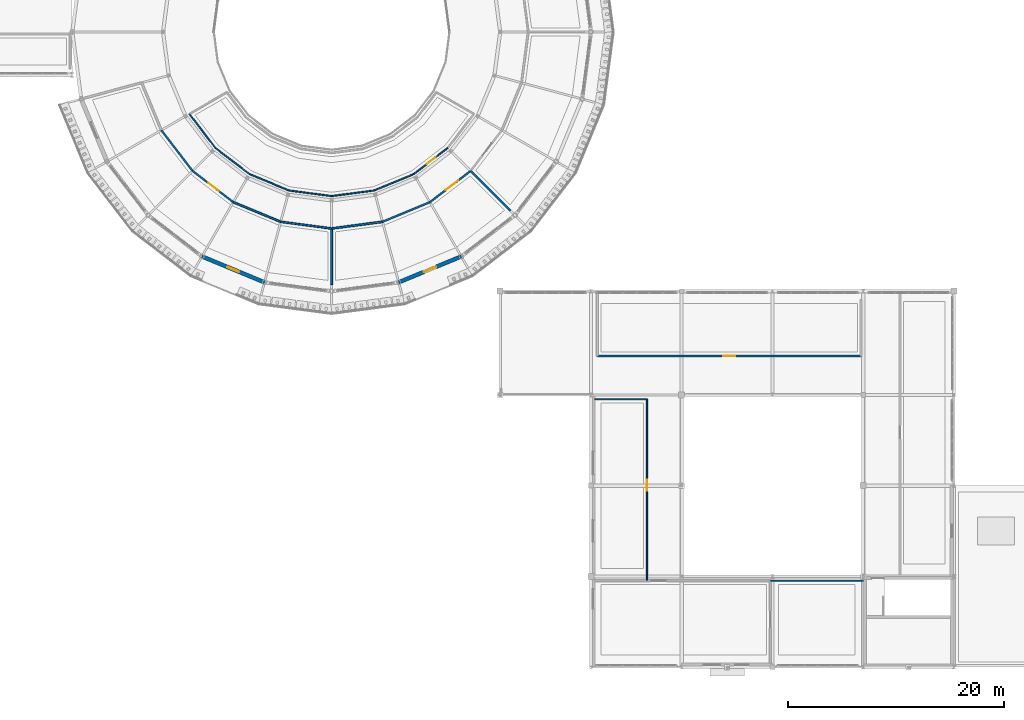
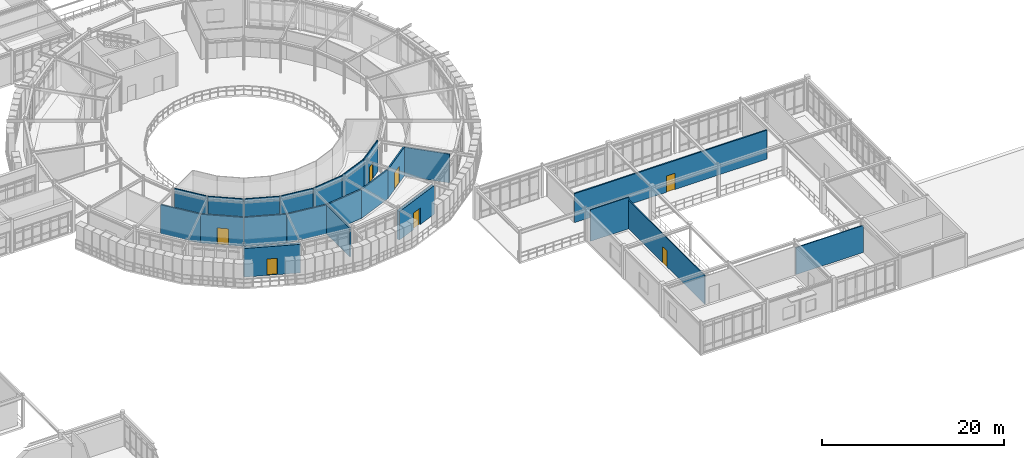
# One storey, part 86 of 106: 22 walls, 7 doors, 7 openings.
"""IFC4 building model written with IfcOpenShell, lengths in metres."""

from ifc_helpers import new_model, si_unit, derived_unit, direction, frame, frame_2d, origin, place, context, subcontext, project, spatial, rectangle, extrude, material, layer, layer_set, type_object, element, fill, save


model = new_model("IFC4")

# Units and contexts
model_context = context("Model", 3, precision=1e-05, world=origin(), true_north=direction((0.0, 1.0)))
body_context = subcontext(model_context, "Body", "Model", "MODEL_VIEW")
ifc_project = project(units=[si_unit("LENGTHUNIT", "METRE"), si_unit("AREAUNIT", "SQUARE_METRE"), si_unit("VOLUMEUNIT", "CUBIC_METRE"), si_unit("PLANEANGLEUNIT", "RADIAN"), si_unit("MASSUNIT", "GRAM", prefix="KILO"), derived_unit("THERMALTRANSMITTANCEUNIT", [(si_unit("POWERUNIT", "WATT"), 1), (si_unit("AREAUNIT", "SQUARE_METRE"), -1), (si_unit("THERMODYNAMICTEMPERATUREUNIT", "KELVIN"), -1)])], contexts=[model_context])

# Site, building, storey
site_placement = place(None, origin())
site = spatial("IfcSite", under=ifc_project, at=site_placement, CompositionType="ELEMENT")
building_placement = place(site_placement, origin())
building = spatial("IfcBuilding", under=site, at=building_placement, Name="Yasenodar Specialist Clinic", CompositionType="ELEMENT")
storey_placement = place(building_placement, frame((0.0, 0.0, 4.5)))
storey = spatial("IfcBuildingStorey", under=building, at=storey_placement, Name="L01", CompositionType="ELEMENT", Elevation=4.5)

# Wall, opening, door
ifc_material_1 = material(Name="Drum Insulated Terracotta Chord Wall", Category="masonry")
ifc_layer_1 = layer(ifc_material_1, 0.364990234375)
ifc_layer_set_1 = layer_set([ifc_layer_1], Name="Drum Insulated Terracotta Chord Wall")
wall_type_1 = type_object("IfcWallType", Name="EW-DRUM-365", PredefinedType="SOLIDWALL", material=ifc_layer_set_1)
wall_1_placement = place(storey_placement, frame((74.788330078125, 35.617919921875, 0.0), z_axis=(0.0, 0.0, 1.0), x_axis=(-0.9238876519, 0.382663829839, 0.0)))
wall_1 = element("IfcWall", 1, at=wall_1_placement, inside=storey, type_object=wall_type_1, Name="L01 Exterior Facade Wall 0014", PredefinedType="SOLIDWALL", context=body_context, shape_type="SweptSolid", body=[
    extrude(rectangle(XDim=6.26513671875, YDim=0.364990234375, at=frame_2d((3.132568359375, 0.0))), origin(), (0.0, 0.0, 1.0), 3.837890625),
])
opening_1_placement = place(wall_1_placement, frame((2.5576171875, 0.0, 0.0)))
opening_1 = element("IfcOpeningElement", 2, at=opening_1_placement, cuts=wall_1, Name="Opening BD-02", PredefinedType="OPENING", context=body_context, shape_type="SweptSolid", body=[
    extrude(rectangle(XDim=1.14990234375, YDim=2.199951171875, at=frame_2d((0.574951171875, 1.10009765625))), frame((0.0, 0.1923828125, 0.0), z_axis=(0.0, -1.0, 0.0), x_axis=(1.0, 0.0, 0.0)), (0.0, 0.0, 1.0), 0.385009765625),
])
ifc_material_2 = material(Name="Thermally Broken Bronze Anodized Aluminium and Laminated Glass", Category="aluminium")
door_type_1 = type_object("IfcDoorType", Name="DR-BALC-115", OperationType="NOTDEFINED", PredefinedType="DOOR", material=ifc_material_2)
door_1_placement = place(opening_1_placement, origin())
door_1 = element("IfcDoor", 3, at=door_1_placement, inside=storey, type_object=door_type_1, Name="L01 Drum Balcony Access Door Sector 16", OperationType="SINGLE_SWING_LEFT", OverallHeight=2.199951171875, OverallWidth=1.14990234375, PredefinedType="DOOR", context=body_context, shape_type="SweptSolid", body=[
    extrude(rectangle(XDim=1.14990234375, YDim=2.199951171875, at=frame_2d((0.574951171875, 1.10009765625))), frame((0.0, 0.02490234375, 0.0), z_axis=(0.0, -1.0, 0.0), x_axis=(1.0, 0.0, 0.0)), (0.0, 0.0, 1.0), 0.050048828125),
])
fill(opening_1, door_1)

wall_2_placement = place(storey_placement, frame((93.0, 38.015380859375, 0.0), z_axis=(0.0, 0.0, 1.0), x_axis=(-0.9238876519, -0.382663829839, 0.0)))
wall_2 = element("IfcWall", 4, at=wall_2_placement, inside=storey, type_object=wall_type_1, Name="L01 Exterior Facade Wall 0015", PredefinedType="SOLIDWALL", context=body_context, shape_type="SweptSolid", body=[
    extrude(rectangle(XDim=6.26513671875, YDim=0.364990234375, at=frame_2d((3.132568359375, 0.0))), origin(), (0.0, 0.0, 1.0), 3.837890625),
])
opening_2_placement = place(wall_2_placement, frame((2.522705078125, 0.0, 0.0)))
opening_2 = element("IfcOpeningElement", 5, at=opening_2_placement, cuts=wall_2, Name="Opening BD-03", PredefinedType="OPENING", context=body_context, shape_type="SweptSolid", body=[
    extrude(rectangle(XDim=1.219970703125, YDim=2.219970703125, at=frame_2d((0.60986328125, 1.10986328125))), frame((0.0, 0.1923828125, 0.0), z_axis=(0.0, -1.0, 0.0), x_axis=(1.0, 0.0, 0.0)), (0.0, 0.0, 1.0), 0.385009765625),
])
door_type_2 = type_object("IfcDoorType", Name="DR-BALC-122", OperationType="NOTDEFINED", PredefinedType="DOOR", material=ifc_material_2)
door_2_placement = place(opening_2_placement, origin())
door_2 = element("IfcDoor", 6, at=door_2_placement, inside=storey, type_object=door_type_2, Name="L01 Drum Balcony Access Door Sector 19", OperationType="SINGLE_SWING_RIGHT", OverallHeight=2.219970703125, OverallWidth=1.219970703125, PredefinedType="DOOR", context=body_context, shape_type="SweptSolid", body=[
    extrude(rectangle(XDim=1.219970703125, YDim=2.219970703125, at=frame_2d((0.60986328125, 1.10986328125))), frame((0.0, 0.02490234375, 0.0), z_axis=(0.0, -1.0, 0.0), x_axis=(1.0, 0.0, 0.0)), (0.0, 0.0, 1.0), 0.050048828125),
])
fill(opening_2, door_2)

ifc_material_3 = material(Name="Cleanroom Laboratory Partition")
ifc_layer_2 = layer(ifc_material_3, 0.169921875)
ifc_layer_set_2 = layer_set([ifc_layer_2], Name="Cleanroom Laboratory Partition")
wall_type_2 = type_object("IfcWallType", Name="IW-LAB-170", PredefinedType="PARTITIONING", material=ifc_layer_set_2)
wall_3_placement = place(storey_placement, frame((68.130615234375, 45.9306640625, 0.0), z_axis=(0.0, 0.0, 1.0), x_axis=(0.793347417989, -0.608769147025, 0.0)))
wall_3 = element("IfcWall", 7, at=wall_3_placement, inside=storey, type_object=wall_type_2, Name="L01 Hematology Day-Treatment Suite Partition", PredefinedType="PARTITIONING", context=body_context, shape_type="SweptSolid", body=[
    extrude(rectangle(XDim=4.751220703125, YDim=0.169921875, at=frame_2d((2.37548828125, 0.0))), origin(), (0.0, 0.0, 1.0), 3.867919921875),
])
opening_3_placement = place(wall_3_placement, frame((1.82568359375, 0.0, 0.0)))
opening_3 = element("IfcOpeningElement", 8, at=opening_3_placement, cuts=wall_3, Name="Opening D-07", PredefinedType="OPENING", context=body_context, shape_type="SweptSolid", body=[
    extrude(rectangle(XDim=1.239990234375, YDim=2.199951171875, at=frame_2d((0.6201171875, 1.10009765625))), frame((0.0, 0.094970703125, 0.0), z_axis=(0.0, -1.0, 0.0), x_axis=(1.0, 0.0, 0.0)), (0.0, 0.0, 1.0), 0.18994140625),
])
ifc_material_4 = material(Name="Powder-Coated Steel and Acoustic Laminate Leaf", Category="steel")
door_type_3 = type_object("IfcDoorType", Name="DR-CLN-124", OperationType="NOTDEFINED", PredefinedType="DOOR", material=ifc_material_4)
door_3_placement = place(opening_3_placement, origin())
door_3 = element("IfcDoor", 9, at=door_3_placement, inside=storey, type_object=door_type_3, Name="L01 Hematology Day-Treatment Suite Door", OperationType="SINGLE_SWING_RIGHT", OverallHeight=2.199951171875, OverallWidth=1.239990234375, PredefinedType="DOOR", context=body_context, shape_type="SweptSolid", body=[
    extrude(rectangle(XDim=1.239990234375, YDim=2.199951171875, at=frame_2d((0.6201171875, 1.10009765625))), frame((0.0, 0.02490234375, 0.0), z_axis=(0.0, -1.0, 0.0), x_axis=(1.0, 0.0, 0.0)), (0.0, 0.0, 1.0), 0.050048828125),
])
fill(opening_3, door_3)

# Walls
wall_4_placement = place(storey_placement, frame((65.23828125, 49.699951171875, 0.0), z_axis=(0.0, 0.0, 1.0), x_axis=(0.608769147025, -0.793347417989, 0.0)))
element("IfcWall", 10, at=wall_4_placement, inside=storey, type_object=wall_type_2, Name="L01 Hematology Day-Treatment Suite Partition", PredefinedType="PARTITIONING", context=body_context, shape_type="SweptSolid", body=[
    extrude(rectangle(XDim=4.751220703125, YDim=0.169921875, at=frame_2d((2.37548828125, 0.0))), origin(), (0.0, 0.0, 1.0), 3.867919921875),
])
wall_5_placement = place(storey_placement, frame((76.28955078125, 41.22021484375, 0.0), z_axis=(0.0, 0.0, 1.0), x_axis=(0.991445548214, -0.130520975042, 0.0)))
element("IfcWall", 11, at=wall_5_placement, inside=storey, type_object=wall_type_2, Name="L01 Hematology Day-Treatment Suite Partition", PredefinedType="PARTITIONING", context=body_context, shape_type="SweptSolid", body=[
    extrude(rectangle(XDim=4.7509765625, YDim=0.169921875, at=frame_2d((2.37548828125, 0.0))), origin(), (0.0, 0.0, 1.0), 3.867919921875),
])
wall_6_placement = place(storey_placement, frame((71.89990234375, 43.038330078125, 0.0), z_axis=(0.0, 0.0, 1.0), x_axis=(0.923889703059, -0.382658877568, 0.0)))
element("IfcWall", 12, at=wall_6_placement, inside=storey, type_object=wall_type_2, Name="L01 Hematology Day-Treatment Suite Partition", PredefinedType="PARTITIONING", context=body_context, shape_type="SweptSolid", body=[
    extrude(rectangle(XDim=4.751220703125, YDim=0.169921875, at=frame_2d((2.37548828125, 0.0))), origin(), (0.0, 0.0, 1.0), 3.867919921875),
])
wall_7_placement = place(storey_placement, frame((81.0, 40.60009765625, 0.0), z_axis=(0.0, 0.0, 1.0), x_axis=(0.0, -1.0, 0.0)))
element("IfcWall", 13, at=wall_7_placement, inside=storey, type_object=wall_type_2, Name="L01 Hematology Day-Treatment Suite Partition", PredefinedType="PARTITIONING", context=body_context, shape_type="SweptSolid", body=[
    extrude(rectangle(XDim=5.2001953125, YDim=0.169921875, at=frame_2d((2.60009765625, 0.0))), origin(), (0.0, 0.0, 1.0), 3.867919921875),
])

# Wall, opening, door
wall_8_placement = place(storey_placement, frame((130.0, 28.800048828125, 0.0), z_axis=(0.0, 0.0, 1.0), x_axis=(-1.0, 0.0, 0.0)))
wall_8 = element("IfcWall", 14, at=wall_8_placement, inside=storey, type_object=wall_type_2, Name="L01 Speech and Swallowing Therapy Rooms Partition", PredefinedType="PARTITIONING", context=body_context, shape_type="SweptSolid", body=[
    extrude(rectangle(XDim=24.39990234375, YDim=0.169921875, at=frame_2d((12.199951171875, 0.0))), origin(), (0.0, 0.0, 1.0), 3.887939453125),
])
opening_4_placement = place(wall_8_placement, frame((11.64990234375, 0.0, 0.0)))
opening_4 = element("IfcOpeningElement", 15, at=opening_4_placement, cuts=wall_8, Name="Opening D-05", PredefinedType="OPENING", context=body_context, shape_type="SweptSolid", body=[
    extrude(rectangle(XDim=1.1201171875, YDim=2.179931640625, at=frame_2d((0.56005859375, 1.08984375))), frame((0.0, 0.094970703125, 0.0), z_axis=(0.0, -1.0, 0.0), x_axis=(1.0, 0.0, 0.0)), (0.0, 0.0, 1.0), 0.18994140625),
])
door_type_4 = type_object("IfcDoorType", Name="DR-CLN-112", OperationType="NOTDEFINED", PredefinedType="DOOR", material=ifc_material_4)
door_4_placement = place(opening_4_placement, origin())
door_4 = element("IfcDoor", 16, at=door_4_placement, inside=storey, type_object=door_type_4, Name="L01 Speech and Swallowing Therapy Rooms Door", OperationType="SINGLE_SWING_RIGHT", OverallHeight=2.179931640625, OverallWidth=1.1201171875, PredefinedType="DOOR", context=body_context, shape_type="SweptSolid", body=[
    extrude(rectangle(XDim=1.1201171875, YDim=2.179931640625, at=frame_2d((0.56005859375, 1.08984375))), frame((0.0, 0.02490234375, 0.0), z_axis=(0.0, -1.0, 0.0), x_axis=(1.0, 0.0, 0.0)), (0.0, 0.0, 1.0), 0.050048828125),
])
fill(opening_4, door_4)

ifc_material_5 = material(Name="Lightweight Counseling Partition")
ifc_layer_3 = layer(ifc_material_5, 0.114990234375)
ifc_layer_set_3 = layer_set([ifc_layer_3], Name="Lightweight Counseling Partition")
wall_type_3 = type_object("IfcWallType", Name="IW-PART-115", PredefinedType="PARTITIONING", material=ifc_layer_set_3)
wall_9_placement = place(storey_placement, frame((110.199951171875, 24.800048828125, 0.0), z_axis=(0.0, 0.0, 1.0), x_axis=(0.0, -1.0, 0.0)))
wall_9 = element("IfcWall", 17, at=wall_9_placement, inside=storey, type_object=wall_type_3, Name="L01 Neurological Rehabilitation Studio Partition", PredefinedType="PARTITIONING", context=body_context, shape_type="SweptSolid", body=[
    extrude(rectangle(XDim=16.7451171875, YDim=0.114990234375, at=frame_2d((8.37255859375, 0.0))), origin(), (0.0, 0.0, 1.0), 3.837890625),
])
opening_5_placement = place(wall_9_placement, frame((7.449951171875, 0.0, 0.0)))
opening_5 = element("IfcOpeningElement", 18, at=opening_5_placement, cuts=wall_9, Name="Opening D-03", PredefinedType="OPENING", context=body_context, shape_type="SweptSolid", body=[
    extrude(rectangle(XDim=1.02001953125, YDim=2.14990234375, at=frame_2d((0.510009765625, 1.074951171875))), frame((0.0, 0.0673828125, 0.0), z_axis=(0.0, -1.0, 0.0), x_axis=(1.0, 0.0, 0.0)), (0.0, 0.0, 1.0), 0.135009765625),
])
door_type_5 = type_object("IfcDoorType", Name="DR-CLN-102", OperationType="NOTDEFINED", PredefinedType="DOOR", material=ifc_material_4)
door_5_placement = place(opening_5_placement, origin())
door_5 = element("IfcDoor", 19, at=door_5_placement, inside=storey, type_object=door_type_5, Name="L01 Neurological Rehabilitation Studio Door", OperationType="SINGLE_SWING_RIGHT", OverallHeight=2.14990234375, OverallWidth=1.02001953125, PredefinedType="DOOR", context=body_context, shape_type="SweptSolid", body=[
    extrude(rectangle(XDim=1.02001953125, YDim=2.14990234375, at=frame_2d((0.510009765625, 1.074951171875))), frame((0.0, 0.02490234375, 0.0), z_axis=(0.0, -1.0, 0.0), x_axis=(1.0, 0.0, 0.0)), (0.0, 0.0, 1.0), 0.050048828125),
])
fill(opening_5, door_5)

# Wall
wall_10_placement = place(storey_placement, frame((105.33740234375, 24.800048828125, 0.0), z_axis=(0.0, 0.0, 1.0), x_axis=(1.0, 0.0, 0.0)))
element("IfcWall", 20, at=wall_10_placement, inside=storey, type_object=wall_type_3, Name="L01 Neurological Rehabilitation Studio Partition", PredefinedType="PARTITIONING", context=body_context, shape_type="SweptSolid", body=[
    extrude(rectangle(XDim=4.862548828125, YDim=0.114990234375, at=frame_2d((2.43115234375, 0.0))), origin(), (0.0, 0.0, 1.0), 4.22998046875),
])

# Wall, opening, door
ifc_material_6 = material(Name="Clinical Sub-Division Partition")
ifc_layer_4 = layer(ifc_material_6, 0.125)
ifc_layer_set_4 = layer_set([ifc_layer_4], Name="Clinical Sub-Division Partition")
wall_type_4 = type_object("IfcWallType", Name="IW-PART-125", PredefinedType="PARTITIONING", material=ifc_layer_set_4)
wall_11_placement = place(storey_placement, frame((91.748046875, 48.052001953125, 0.0), z_axis=(0.0, 0.0, 1.0), x_axis=(-0.79335079014, -0.608764752416, 0.0)))
wall_11 = element("IfcWall", 21, at=wall_11_placement, inside=storey, type_object=wall_type_4, Name="L01 Atrium Daylit Waiting Gallery Partition", PredefinedType="PARTITIONING", context=body_context, shape_type="SweptSolid", body=[
    extrude(rectangle(XDim=3.968017578125, YDim=0.125, at=frame_2d((1.98388671875, 0.0))), origin(), (0.0, 0.0, 1.0), 4.22998046875),
])
opening_6_placement = place(wall_11_placement, frame((1.43408203125, 0.0, 0.0)))
opening_6 = element("IfcOpeningElement", 22, at=opening_6_placement, cuts=wall_11, Name="Opening D-03", PredefinedType="OPENING", context=body_context, shape_type="SweptSolid", body=[
    extrude(rectangle(XDim=1.02001953125, YDim=2.14990234375, at=frame_2d((0.510009765625, 1.074951171875))), frame((0.0, 0.072509765625, 0.0), z_axis=(0.0, -1.0, 0.0), x_axis=(1.0, 0.0, 0.0)), (0.0, 0.0, 1.0), 0.14501953125),
])
door_6_placement = place(opening_6_placement, origin())
door_6 = element("IfcDoor", 23, at=door_6_placement, inside=storey, type_object=door_type_5, Name="L01 Atrium Daylit Waiting Gallery Door", OperationType="SINGLE_SWING_RIGHT", OverallHeight=2.14990234375, OverallWidth=1.02001953125, PredefinedType="DOOR", context=body_context, shape_type="SweptSolid", body=[
    extrude(rectangle(XDim=1.02001953125, YDim=2.14990234375, at=frame_2d((0.510009765625, 1.074951171875))), frame((0.0, 0.02490234375, 0.0), z_axis=(0.0, -1.0, 0.0), x_axis=(1.0, 0.0, 0.0)), (0.0, 0.0, 1.0), 0.050048828125),
])
fill(opening_6, door_6)

# Walls
for number, where, z_axis, x_axis, name in (
    (24, (73.39990234375, 45.636474609375, 0.0), (0.0, 0.0, 1.0), (-0.79335079014, 0.608764752416, 0.0), "L01 Atrium Daylit Waiting Gallery Partition"),
    (25, (70.251953125, 48.052001953125, 0.0), (0.0, 0.0, 1.0), (-0.608764752416, 0.79335079014, 0.0), "L01 Atrium Daylit Waiting Gallery Partition"),
    (26, (88.60009765625, 45.636474609375, 0.0), (0.0, 0.0, 1.0), (-0.923875853046, -0.38269231526, 0.0), "L01 Atrium Daylit Waiting Gallery Partition"),
    (27, (77.06591796875, 44.117919921875, 0.0), (0.0, 0.0, 1.0), (-0.923875853046, 0.38269231526, 0.0), "L01 Atrium Daylit Waiting Gallery Partition"),
    (28, (84.93408203125, 44.117919921875, 0.0), (0.0, 0.0, 1.0), (-0.991448430824, -0.13049907669, 0.0), "L01 Atrium Daylit Waiting Gallery Partition"),
    (29, (81.0, 43.60009765625, 0.0), (0.0, 0.0, 1.0), (-0.991448430824, 0.13049907669, 0.0), "L01 Atrium Daylit Waiting Gallery Partition"),
):
    element("IfcWall", number, at=place(storey_placement, frame(where, z_axis=z_axis, x_axis=x_axis)), inside=storey, type_object=wall_type_4, Name=name, PredefinedType="PARTITIONING", context=body_context, shape_type="SweptSolid", body=[
        extrude(rectangle(XDim=3.968017578125, YDim=0.125, at=frame_2d((1.98388671875, 0.0))), origin(), (0.0, 0.0, 1.0), 4.22998046875),
    ])
wall_12_placement = place(storey_placement, frame((121.655029296875, 8.0, 0.0), z_axis=(0.0, 0.0, 1.0), x_axis=(1.0, 0.0, 0.0)))
element("IfcWall", 30, at=wall_12_placement, inside=storey, type_object=wall_type_4, Name="L01 Instrumented Gait and Motion Laboratory Partition", PredefinedType="PARTITIONING", context=body_context, shape_type="SweptSolid", body=[
    extrude(rectangle(XDim=8.56494140625, YDim=0.125, at=frame_2d((4.282470703125, 0.0))), origin(), (0.0, 0.0, 1.0), 3.6279296875),
])

# Wall, opening, door
ifc_material_7 = material(Name="Hygienic Double-Stud Clinical Partition")
ifc_layer_5 = layer(ifc_material_7, 0.179931640625)
ifc_layer_set_5 = layer_set([ifc_layer_5], Name="Hygienic Double-Stud Clinical Partition")
wall_type_5 = type_object("IfcWallType", Name="IW-PROC-180", PredefinedType="PARTITIONING", material=ifc_layer_set_5)
wall_13_placement = place(storey_placement, frame((90.10009765625, 43.038330078125, 0.0), z_axis=(0.0, 0.0, 1.0), x_axis=(0.793347417989, 0.608769147025, 0.0)))
wall_13 = element("IfcWall", 31, at=wall_13_placement, inside=storey, type_object=wall_type_5, Name="L01 Infusion Recovery Observation Room Partition", PredefinedType="PARTITIONING", context=body_context, shape_type="SweptSolid", body=[
    extrude(rectangle(XDim=4.751220703125, YDim=0.179931640625, at=frame_2d((2.37548828125, 0.0))), origin(), (0.0, 0.0, 1.0), 3.867919921875),
])
opening_7_placement = place(wall_13_placement, frame((1.82568359375, 0.0, 0.0)))
opening_7 = element("IfcOpeningElement", 32, at=opening_7_placement, cuts=wall_13, Name="Opening D-09", PredefinedType="OPENING", context=body_context, shape_type="SweptSolid", body=[
    extrude(rectangle(XDim=1.47998046875, YDim=2.239990234375, at=frame_2d((0.739990234375, 1.1201171875))), frame((0.0, 0.10009765625, 0.0), z_axis=(0.0, -1.0, 0.0), x_axis=(1.0, 0.0, 0.0)), (0.0, 0.0, 1.0), 0.199951171875),
])
door_type_6 = type_object("IfcDoorType", Name="DR-BED-148", OperationType="DOUBLE_DOOR_SINGLE_SWING", PredefinedType="DOOR", material=ifc_material_4)
door_7_placement = place(opening_7_placement, origin())
door_7 = element("IfcDoor", 33, at=door_7_placement, inside=storey, type_object=door_type_6, Name="L01 Infusion Recovery Observation Room Door", OperationType="DOUBLE_DOOR_SINGLE_SWING", OverallHeight=2.239990234375, OverallWidth=1.47998046875, PredefinedType="DOOR", context=body_context, shape_type="SweptSolid", body=[
    extrude(rectangle(XDim=1.47998046875, YDim=2.239990234375, at=frame_2d((0.739990234375, 1.1201171875))), frame((0.0, 0.02490234375, 0.0), z_axis=(0.0, -1.0, 0.0), x_axis=(1.0, 0.0, 0.0)), (0.0, 0.0, 1.0), 0.050048828125),
])
fill(opening_7, door_7)

# Walls
wall_14_placement = place(storey_placement, frame((85.71044921875, 41.22021484375, 0.0), z_axis=(0.0, 0.0, 1.0), x_axis=(0.923889703059, 0.382658877568, 0.0)))
element("IfcWall", 34, at=wall_14_placement, inside=storey, type_object=wall_type_5, Name="L01 Infusion Recovery Observation Room Partition", PredefinedType="PARTITIONING", context=body_context, shape_type="SweptSolid", body=[
    extrude(rectangle(XDim=4.751220703125, YDim=0.179931640625, at=frame_2d((2.37548828125, 0.0))), origin(), (0.0, 0.0, 1.0), 3.867919921875),
])
wall_15_placement = place(storey_placement, frame((81.02001953125, 40.6025390625, 0.0), z_axis=(0.0, 0.0, 1.0), x_axis=(0.991440237985, 0.130561305543, 0.0)))
element("IfcWall", 35, at=wall_15_placement, inside=storey, type_object=wall_type_5, Name="L01 Infusion Recovery Observation Room Partition", PredefinedType="PARTITIONING", context=body_context, shape_type="SweptSolid", body=[
    extrude(rectangle(XDim=4.73095703125, YDim=0.179931640625, at=frame_2d((2.365478515625, 0.0))), origin(), (0.0, 0.0, 1.0), 3.867919921875),
])
wall_16_placement = place(storey_placement, frame((93.869384765625, 45.9306640625, 0.0), z_axis=(0.0, 0.0, 1.0), x_axis=(0.707106781187, -0.707106781187, 0.0)))
element("IfcWall", 36, at=wall_16_placement, inside=storey, type_object=wall_type_5, Name="L01 Infusion Recovery Observation Room Partition", PredefinedType="PARTITIONING", context=body_context, shape_type="SweptSolid", body=[
    extrude(rectangle(XDim=5.199951171875, YDim=0.179931640625, at=frame_2d((2.60009765625, 0.0))), origin(), (0.0, 0.0, 1.0), 3.867919921875),
])

save(model, "model.ifc")
